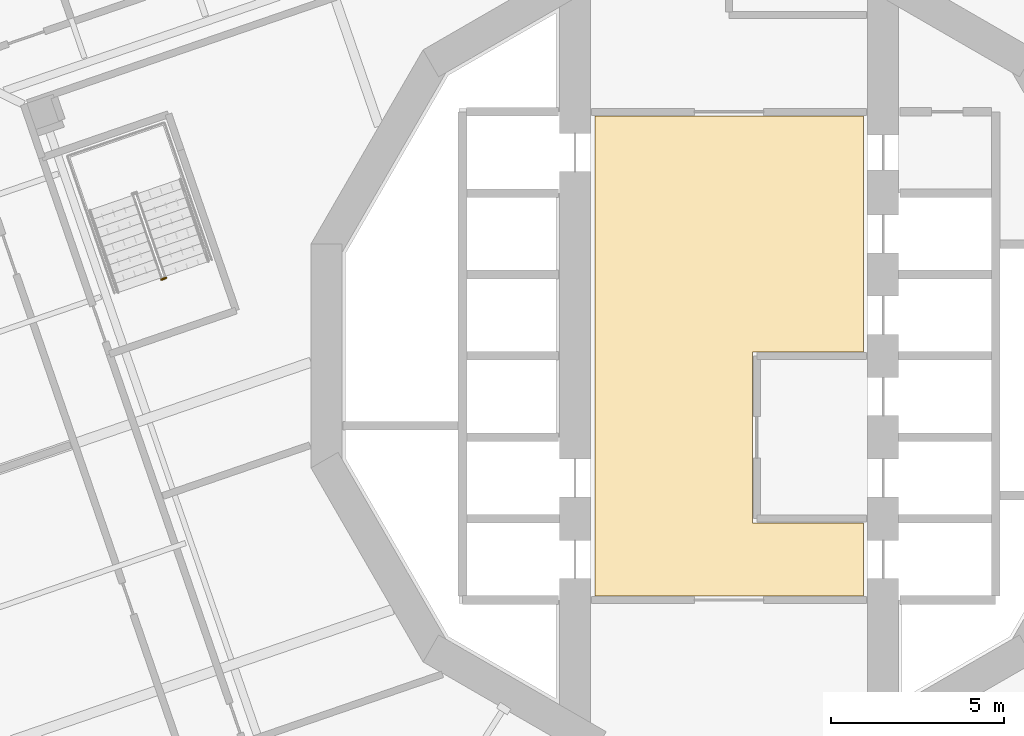
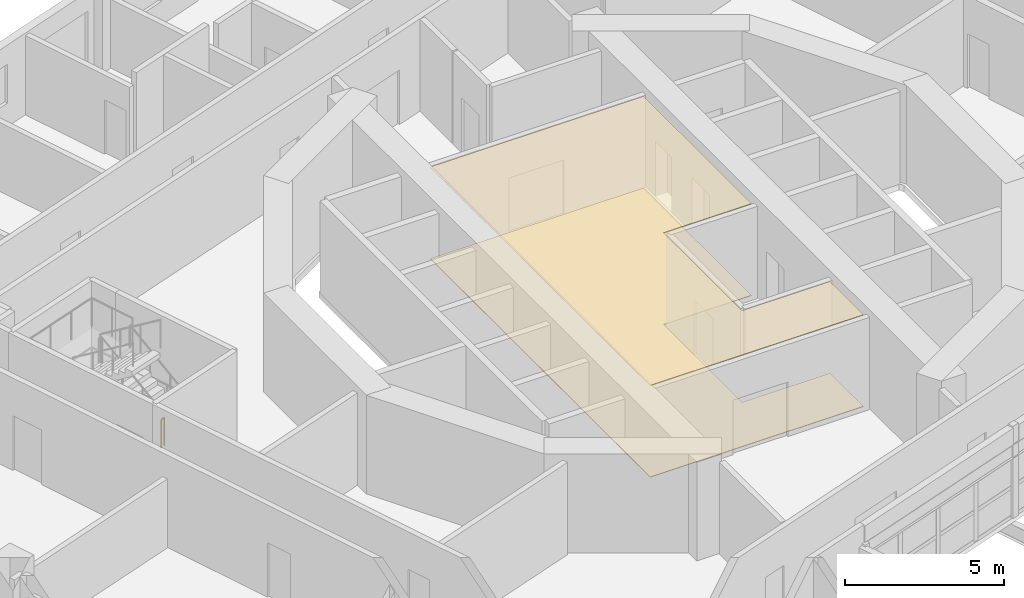
# One storey, part 17 of 22: 2 coverings, 1 railing.
"""IFC4 building model written with IfcOpenShell, lengths in metres."""

from ifc_helpers import new_model, si_unit, direction, frame, origin, origin_2d, place, context, subcontext, project, spatial, polyline, circle, outline, extrude, material, layer, layer_set, type_object, element, save


model = new_model("IFC4")

# Units and contexts
model_context = context("Model", 3, precision=1e-05, world=origin(), true_north=direction((0.0, 1.0)))
body_context = subcontext(model_context, "Body", "Model", "MODEL_VIEW")
ifc_project = project(units=[si_unit("LENGTHUNIT", "METRE"), si_unit("AREAUNIT", "SQUARE_METRE"), si_unit("VOLUMEUNIT", "CUBIC_METRE"), si_unit("PLANEANGLEUNIT", "RADIAN"), si_unit("MASSUNIT", "GRAM", prefix="KILO")], contexts=[model_context])

# Site, building, storey
site_placement = place(None, origin())
site = spatial("IfcSite", under=ifc_project, at=site_placement, CompositionType="ELEMENT")
building_placement = place(site_placement, origin())
building = spatial("IfcBuilding", under=site, at=building_placement, Name="Cantera Rosa Tower", CompositionType="ELEMENT")
storey_placement = place(building_placement, frame((0.0, 0.0, 104.10009765625)))
storey = spatial("IfcBuildingStorey", under=building, at=storey_placement, Name="L20", CompositionType="ELEMENT", Elevation=104.10009765625)

# Railing
ifc_material_1 = material(Name="Steel S355J2 (EN 10025-2)", Category="steel")
railing_type = type_object("IfcRailingType", Name="STAIR GUARD 1100", PredefinedType="GUARDRAIL", material=ifc_material_1)
railing_placement = place(storey_placement, frame((-16.257080078125, 2.25341796875, 0.0)))
element("IfcRailing", 1, at=railing_placement, inside=storey, type_object=railing_type, Name="L20 ST-22 stair guard 3", PredefinedType="GUARDRAIL", context=body_context, shape_type="SweptSolid", body=[
    extrude(circle(Radius=0.02392578125, at=origin_2d()), frame((0.0, 0.0, 1.076171875), z_axis=(-0.945545797087, -0.325489086777, 0.0), x_axis=(0.325489086777, -0.945545797087, 0.0)), (0.0, 0.0, 1.0), 0.14990234375),
    extrude(circle(Radius=0.02099609375, at=origin_2d()), origin(), (0.0, 0.0, 1.0), 1.052001953125),
    extrude(circle(Radius=0.02099609375, at=origin_2d()), frame((-0.141845703125, -0.048828125, 0.0)), (0.0, 0.0, 1.0), 1.052001953125),
])

# Coverings
ifc_material_2 = material(Name="Limestone paving", Category="masonry")
ifc_layer_1 = layer(ifc_material_2, 0.02490234375)
ifc_layer_set_1 = layer_set([ifc_layer_1], Name="STONE FLOOR FINISH 25")
covering_type_1 = type_object("IfcCoveringType", Name="STONE FLOOR FINISH 25", PredefinedType="FLOORING", material=ifc_layer_set_1)
covering_1_placement = place(storey_placement, origin())
element("IfcCovering", 2, at=covering_1_placement, inside=storey, type_object=covering_type_1, Name="STONE FLOOR FINISH L20", PredefinedType="FLOORING", context=body_context, shape_type="SweptSolid", body=[
    extrude(outline(polyline([(3.8798828125, 6.929931640625), (3.8798828125, 0.1201171875), (0.679931640625, 0.1201171875), (0.679931640625, -4.820068359375), (3.8798828125, -4.820068359375), (3.8798828125, -6.929931640625), (-3.8798828125, -6.929931640625), (-3.8798828125, 6.929931640625), (3.8798828125, 6.929931640625)])), origin(), (0.0, 0.0, 1.0), 0.02490234375),
])
ifc_material_3 = material(Name="Gypsum ceiling tile")
ifc_layer_2 = layer(ifc_material_3, 0.030029296875)
ifc_layer_set_2 = layer_set([ifc_layer_2], Name="SUSPENDED CEILING 30")
covering_type_2 = type_object("IfcCoveringType", Name="SUSPENDED CEILING 30", PredefinedType="CEILING", material=ifc_layer_set_2)
covering_2_placement = place(storey_placement, frame((0.0, 0.0, 3.52001953125)))
element("IfcCovering", 3, at=covering_2_placement, inside=storey, type_object=covering_type_2, Name="SUSPENDED CEILING L20", PredefinedType="CEILING", context=body_context, shape_type="SweptSolid", body=[
    extrude(outline(polyline([(3.8798828125, 6.929931640625), (3.8798828125, 0.1201171875), (0.679931640625, 0.1201171875), (0.679931640625, -4.820068359375), (3.8798828125, -4.820068359375), (3.8798828125, -6.929931640625), (-3.8798828125, -6.929931640625), (-3.8798828125, 6.929931640625), (3.8798828125, 6.929931640625)])), origin(), (0.0, 0.0, 1.0), 0.02978515625),
])

save(model, "model.ifc")
